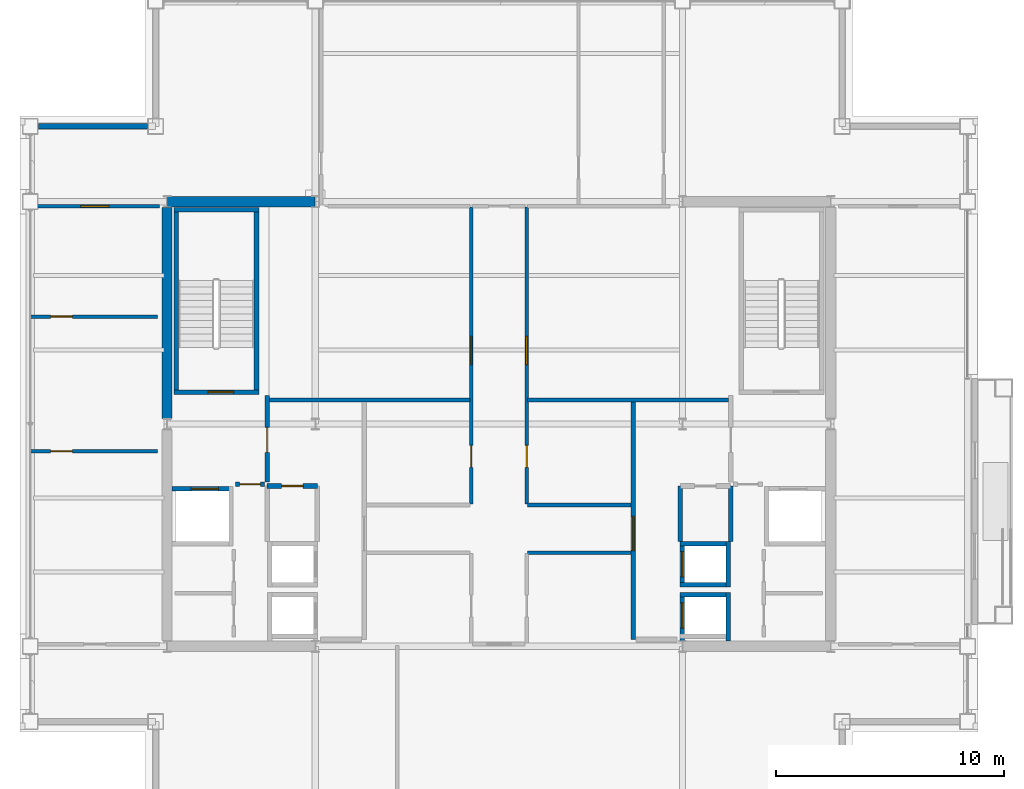
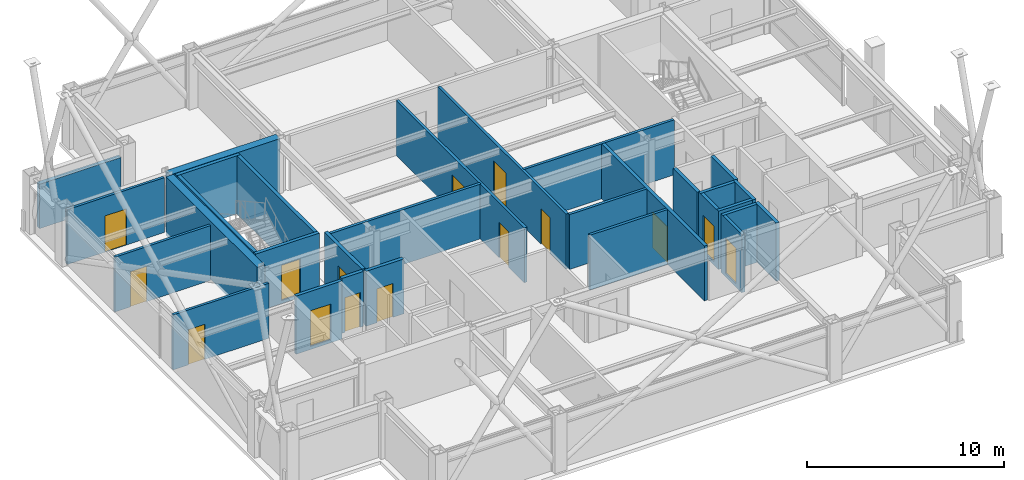
# One storey, part 29 of 33: 30 walls, 15 doors, 15 openings.
"""IFC4 building model written with IfcOpenShell, lengths in metres."""

from ifc_helpers import new_model, si_unit, direction, frame, frame_2d, origin, place, context, subcontext, project, spatial, rectangle, extrude, material, layer, layer_set, type_object, element, fill, save


model = new_model("IFC4")

# Units and contexts
model_context = context("Model", 3, precision=1e-05, world=origin(), true_north=direction((0.0, 1.0)))
body_context = subcontext(model_context, "Body", "Model", "MODEL_VIEW")
ifc_project = project(units=[si_unit("LENGTHUNIT", "METRE"), si_unit("AREAUNIT", "SQUARE_METRE"), si_unit("VOLUMEUNIT", "CUBIC_METRE"), si_unit("PLANEANGLEUNIT", "RADIAN"), si_unit("MASSUNIT", "GRAM", prefix="KILO")], contexts=[model_context])

# Site, building, storey
site_placement = place(None, origin())
site = spatial("IfcSite", under=ifc_project, at=site_placement, CompositionType="ELEMENT")
building_placement = place(site_placement, origin())
building = spatial("IfcBuilding", under=site, at=building_placement, Name="Brelmoor Portico Tower", CompositionType="ELEMENT")
storey_placement = place(building_placement, frame((0.0, 0.0, 194.699951171875)))
storey = spatial("IfcBuildingStorey", under=building, at=storey_placement, Name="L51", CompositionType="ELEMENT", Elevation=194.699951171875)

# Walls
ifc_material_1 = material(Name="Concrete C50", Category="concrete")
ifc_layer_1 = layer(ifc_material_1, 0.449951171875)
ifc_layer_set_1 = layer_set([ifc_layer_1], Name="Concrete C50")
wall_type_1 = type_object("IfcWallType", Name="WL-CORE-450", PredefinedType="SHEAR", material=ifc_layer_set_1)
wall_1_placement = place(storey_placement, frame((-14.530029296875, 9.75, -0.199951171875), z_axis=(0.0, 0.0, 1.0), x_axis=(1.0, 0.0, 0.0)))
element("IfcWall", 1, at=wall_1_placement, inside=storey, type_object=wall_type_1, Name="L51 WC North Shear Wall", PredefinedType="SHEAR", context=body_context, shape_type="SweptSolid", body=[
    extrude(rectangle(XDim=6.4599609375, YDim=0.449951171875, at=frame_2d((3.22998046875, 0.0))), origin(), (0.0, 0.0, 1.0), 3.60009765625),
])
wall_2_placement = place(storey_placement, frame((-14.550048828125, 0.25, -0.199951171875), z_axis=(0.0, 0.0, 1.0), x_axis=(0.0, 1.0, 0.0)))
element("IfcWall", 2, at=wall_2_placement, inside=storey, type_object=wall_type_1, Name="L51 WC Outer North Shear Wall", PredefinedType="SHEAR", context=body_context, shape_type="SweptSolid", body=[
    extrude(rectangle(XDim=9.25, YDim=0.449951171875, at=frame_2d((4.625, 0.0))), origin(), (0.0, 0.0, 1.0), 3.60009765625),
])
ifc_material_2 = material(Name="Precast Concrete C40 Insulated Facade Wall", Category="concrete")
ifc_layer_2 = layer(ifc_material_2, 0.25)
ifc_layer_set_2 = layer_set([ifc_layer_2], Name="Precast Concrete C40 Insulated Facade Wall")
wall_type_2 = type_object("IfcWallType", Name="WL-EXT-250", PredefinedType="STANDARD", material=ifc_layer_set_2)
wall_3_placement = place(storey_placement, frame((-20.18994140625, 13.050048828125, 0.0), z_axis=(0.0, 0.0, 1.0), x_axis=(1.0, 0.0, 0.0)))
element("IfcWall", 3, at=wall_3_placement, inside=storey, type_object=wall_type_2, Name="L51 Corner Notch Facade Wall NNWH1", PredefinedType="STANDARD", context=body_context, shape_type="SweptSolid", body=[
    extrude(rectangle(XDim=4.780029296875, YDim=0.25, at=frame_2d((2.39013671875, 0.0))), origin(), (0.0, 0.0, 1.0), 2.75),
])

# Wall, opening, door
ifc_material_3 = material(Name="Wet-Area Moisture-Resistant Partition", Category="gypsum")
ifc_layer_3 = layer(ifc_material_3, 0.14990234375)
ifc_layer_set_3 = layer_set([ifc_layer_3], Name="Wet-Area Moisture-Resistant Partition")
wall_type_3 = type_object("IfcWallType", Name="WL-PART-150", PredefinedType="PARTITIONING", material=ifc_layer_set_3)
wall_4_placement = place(storey_placement, frame((-20.56005859375, 9.550048828125, 0.0), z_axis=(0.0, 0.0, 1.0), x_axis=(1.0, 0.0, 0.0)))
wall_4 = element("IfcWall", 4, at=wall_4_placement, inside=storey, type_object=wall_type_3, Name="L51 North Wing Suite Wall WL", PredefinedType="PARTITIONING", context=body_context, shape_type="SweptSolid", body=[
    extrude(rectangle(XDim=5.68017578125, YDim=0.14990234375, at=frame_2d((2.840087890625, 0.0))), origin(), (0.0, 0.0, 1.0), 3.400146484375),
])
opening_1_placement = place(wall_4_placement, frame((2.219970703125, 0.0, 0.0)))
opening_1 = element("IfcOpeningElement", 5, at=opening_1_placement, cuts=wall_4, Name="Opening D-SU1", PredefinedType="OPENING", context=body_context, shape_type="SweptSolid", body=[
    extrude(rectangle(XDim=1.239990234375, YDim=2.239990234375, at=frame_2d((0.6201171875, 1.1201171875))), frame((0.0, 0.0849609375, 0.0), z_axis=(0.0, -1.0, 0.0), x_axis=(1.0, 0.0, 0.0)), (0.0, 0.0, 1.0), 0.169921875),
])
ifc_material_4 = material(Name="Glazed Timber Executive Suite Door", Category="wood")
door_type_1 = type_object("IfcDoorType", Name="DR-SUITE-1200", OperationType="NOTDEFINED", PredefinedType="DOOR", material=ifc_material_4)
door_1_placement = place(opening_1_placement, origin())
door_1 = element("IfcDoor", 6, at=door_1_placement, inside=storey, type_object=door_type_1, Name="D-2164 L51 WL Wing Suite Connecting Door", OperationType="SINGLE_SWING_LEFT", OverallHeight=2.239990234375, OverallWidth=1.239990234375, PredefinedType="DOOR", context=body_context, shape_type="SweptSolid", body=[
    extrude(rectangle(XDim=1.239990234375, YDim=2.239990234375, at=frame_2d((0.6201171875, 1.1201171875))), frame((0.0, 0.02490234375, 0.0), z_axis=(0.0, -1.0, 0.0), x_axis=(1.0, 0.0, 0.0)), (0.0, 0.0, 1.0), 0.050048828125),
])
fill(opening_1, door_1)

wall_5_placement = place(storey_placement, frame((-20.56005859375, -1.1923828125, 0.0), z_axis=(0.0, 0.0, 1.0), x_axis=(1.0, 0.0, 0.0)))
wall_5 = element("IfcWall", 7, at=wall_5_placement, inside=storey, type_object=wall_type_3, Name="L51 W Wing Partition 1", PredefinedType="PARTITIONING", context=body_context, shape_type="SweptSolid", body=[
    extrude(rectangle(XDim=5.60009765625, YDim=0.14990234375, at=frame_2d((2.800048828125, 0.0))), origin(), (0.0, 0.0, 1.0), 3.400146484375),
])
opening_2_placement = place(wall_5_placement, frame((0.89990234375, 0.0, 0.0)))
opening_2 = element("IfcOpeningElement", 8, at=opening_2_placement, cuts=wall_5, Name="Opening D-IN2", PredefinedType="OPENING", context=body_context, shape_type="SweptSolid", body=[
    extrude(rectangle(XDim=0.9599609375, YDim=2.179931640625, at=frame_2d((0.47998046875, 1.08984375))), frame((0.0, 0.0849609375, 0.0), z_axis=(0.0, -1.0, 0.0), x_axis=(1.0, 0.0, 0.0)), (0.0, 0.0, 1.0), 0.169921875),
])
ifc_material_5 = material(Name="Lacquered Timber Suite Door", Category="wood")
door_type_2 = type_object("IfcDoorType", Name="DR-INT-950", OperationType="NOTDEFINED", PredefinedType="DOOR", material=ifc_material_5)
door_2_placement = place(opening_2_placement, origin())
door_2 = element("IfcDoor", 9, at=door_2_placement, inside=storey, type_object=door_type_2, Name="D-2172 L51 W Wing Suite Connecting Door 1", OperationType="SINGLE_SWING_LEFT", OverallHeight=2.179931640625, OverallWidth=0.9599609375, PredefinedType="DOOR", context=body_context, shape_type="SweptSolid", body=[
    extrude(rectangle(XDim=0.9599609375, YDim=2.179931640625, at=frame_2d((0.47998046875, 1.08984375))), frame((0.0, 0.02490234375, 0.0), z_axis=(0.0, -1.0, 0.0), x_axis=(1.0, 0.0, 0.0)), (0.0, 0.0, 1.0), 0.050048828125),
])
fill(opening_2, door_2)

wall_6_placement = place(storey_placement, frame((-20.56005859375, 4.7099609375, 0.0), z_axis=(0.0, 0.0, 1.0), x_axis=(1.0, 0.0, 0.0)))
wall_6 = element("IfcWall", 10, at=wall_6_placement, inside=storey, type_object=wall_type_3, Name="L51 W Wing Partition 2", PredefinedType="PARTITIONING", context=body_context, shape_type="SweptSolid", body=[
    extrude(rectangle(XDim=5.60009765625, YDim=0.14990234375, at=frame_2d((2.800048828125, 0.0))), origin(), (0.0, 0.0, 1.0), 3.400146484375),
])
opening_3_placement = place(wall_6_placement, frame((0.89990234375, 0.0, 0.0)))
opening_3 = element("IfcOpeningElement", 11, at=opening_3_placement, cuts=wall_6, Name="Opening D-IN2", PredefinedType="OPENING", context=body_context, shape_type="SweptSolid", body=[
    extrude(rectangle(XDim=0.9599609375, YDim=2.179931640625, at=frame_2d((0.47998046875, 1.08984375))), frame((0.0, 0.0849609375, 0.0), z_axis=(0.0, -1.0, 0.0), x_axis=(1.0, 0.0, 0.0)), (0.0, 0.0, 1.0), 0.169921875),
])
door_3_placement = place(opening_3_placement, origin())
door_3 = element("IfcDoor", 12, at=door_3_placement, inside=storey, type_object=door_type_2, Name="D-2173 L51 W Wing Suite Connecting Door 2", OperationType="SINGLE_SWING_RIGHT", OverallHeight=2.179931640625, OverallWidth=0.9599609375, PredefinedType="DOOR", context=body_context, shape_type="SweptSolid", body=[
    extrude(rectangle(XDim=0.9599609375, YDim=2.179931640625, at=frame_2d((0.47998046875, 1.08984375))), frame((0.0, 0.02490234375, 0.0), z_axis=(0.0, -1.0, 0.0), x_axis=(1.0, 0.0, 0.0)), (0.0, 0.0, 1.0), 0.050048828125),
])
fill(opening_3, door_3)

# Wall
ifc_material_6 = material(Name="Twin-Frame Acoustic Partition", Category="gypsum")
ifc_layer_4 = layer(ifc_material_6, 0.159912109375)
ifc_layer_set_4 = layer_set([ifc_layer_4], Name="Twin-Frame Acoustic Partition")
wall_type_4 = type_object("IfcWallType", Name="WL-PART-160", PredefinedType="PARTITIONING", material=ifc_layer_set_4)
wall_7_placement = place(storey_placement, frame((-10.050048828125, 1.050048828125, 0.0), z_axis=(0.0, 0.0, 1.0), x_axis=(1.0, 0.0, 0.0)))
element("IfcWall", 13, at=wall_7_placement, inside=storey, type_object=wall_type_4, Name="L51 West Reclaimed Suite South Wall", PredefinedType="PARTITIONING", context=body_context, shape_type="SweptSolid", body=[
    extrude(rectangle(XDim=8.7900390625, YDim=0.159912109375, at=frame_2d((4.39501953125, 0.0))), origin(), (0.0, 0.0, 1.0), 3.400146484375),
])

# Wall, openings, doors
wall_8_placement = place(storey_placement, frame((-1.219970703125, -3.5, 0.0), z_axis=(0.0, 0.0, 1.0), x_axis=(0.0, 1.0, 0.0)))
wall_8 = element("IfcWall", 14, at=wall_8_placement, inside=storey, type_object=wall_type_4, Name="L51 Central Cross West Wall", PredefinedType="PARTITIONING", context=body_context, shape_type="SweptSolid", body=[
    extrude(rectangle(XDim=13.010009765625, YDim=0.159912109375, at=frame_2d((6.5048828125, 0.0))), origin(), (0.0, 0.0, 1.0), 3.400146484375),
])
opening_4_placement = place(wall_8_placement, frame((6.10009765625, 0.0, 0.0)))
opening_4 = element("IfcOpeningElement", 15, at=opening_4_placement, cuts=wall_8, Name="Opening D-SU1", PredefinedType="OPENING", context=body_context, shape_type="SweptSolid", body=[
    extrude(rectangle(XDim=1.239990234375, YDim=2.239990234375, at=frame_2d((0.6201171875, 1.1201171875))), frame((0.0, 0.08984375, 0.0), z_axis=(0.0, -1.0, 0.0), x_axis=(1.0, 0.0, 0.0)), (0.0, 0.0, 1.0), 0.179931640625),
])
opening_5_placement = place(wall_8_placement, frame((1.60009765625, 0.0, 0.0)))
opening_5 = element("IfcOpeningElement", 16, at=opening_5_placement, cuts=wall_8, Name="Opening D-IN2", PredefinedType="OPENING", context=body_context, shape_type="SweptSolid", body=[
    extrude(rectangle(XDim=0.9599609375, YDim=2.179931640625, at=frame_2d((0.47998046875, 1.08984375))), frame((0.0, 0.08984375, 0.0), z_axis=(0.0, -1.0, 0.0), x_axis=(1.0, 0.0, 0.0)), (0.0, 0.0, 1.0), 0.179931640625),
])
door_4_placement = place(opening_5_placement, origin())
door_4 = element("IfcDoor", 17, at=door_4_placement, inside=storey, type_object=door_type_2, Name="D-2145 L51 Staff Pantry Door", OperationType="SINGLE_SWING_RIGHT", OverallHeight=2.179931640625, OverallWidth=0.9599609375, PredefinedType="DOOR", context=body_context, shape_type="SweptSolid", body=[
    extrude(rectangle(XDim=0.9599609375, YDim=2.179931640625, at=frame_2d((0.47998046875, 1.08984375))), frame((0.0, 0.02490234375, 0.0), z_axis=(0.0, -1.0, 0.0), x_axis=(1.0, 0.0, 0.0)), (0.0, 0.0, 1.0), 0.050048828125),
])
fill(opening_5, door_4)
door_5_placement = place(opening_4_placement, origin())
door_5 = element("IfcDoor", 18, at=door_5_placement, inside=storey, type_object=door_type_1, Name="D-2146 L51 West Reclaimed Studio Door", OperationType="SINGLE_SWING_LEFT", OverallHeight=2.239990234375, OverallWidth=1.239990234375, PredefinedType="DOOR", context=body_context, shape_type="SweptSolid", body=[
    extrude(rectangle(XDim=1.239990234375, YDim=2.239990234375, at=frame_2d((0.6201171875, 1.1201171875))), frame((0.0, 0.02490234375, 0.0), z_axis=(0.0, -1.0, 0.0), x_axis=(1.0, 0.0, 0.0)), (0.0, 0.0, 1.0), 0.050048828125),
])
fill(opening_4, door_5)

# Wall
wall_9_placement = place(storey_placement, frame((1.260009765625, 1.050048828125, 0.0), z_axis=(0.0, 0.0, 1.0), x_axis=(1.0, 0.0, 0.0)))
element("IfcWall", 19, at=wall_9_placement, inside=storey, type_object=wall_type_4, Name="L51 East Suite South Wall", PredefinedType="PARTITIONING", context=body_context, shape_type="SweptSolid", body=[
    extrude(rectangle(XDim=8.800048828125, YDim=0.159912109375, at=frame_2d((4.39990234375, 0.0))), origin(), (0.0, 0.0, 1.0), 3.400146484375),
])

# Wall, openings, doors
wall_10_placement = place(storey_placement, frame((1.219970703125, -3.5, 0.0), z_axis=(0.0, 0.0, 1.0), x_axis=(0.0, 1.0, 0.0)))
wall_10 = element("IfcWall", 20, at=wall_10_placement, inside=storey, type_object=wall_type_4, Name="L51 Central Cross East Wall", PredefinedType="PARTITIONING", context=body_context, shape_type="SweptSolid", body=[
    extrude(rectangle(XDim=13.010009765625, YDim=0.159912109375, at=frame_2d((6.5048828125, 0.0))), origin(), (0.0, 0.0, 1.0), 3.400146484375),
])
opening_6_placement = place(wall_10_placement, frame((6.10009765625, 0.0, 0.0)))
opening_6 = element("IfcOpeningElement", 21, at=opening_6_placement, cuts=wall_10, Name="Opening D-SU1", PredefinedType="OPENING", context=body_context, shape_type="SweptSolid", body=[
    extrude(rectangle(XDim=1.239990234375, YDim=2.239990234375, at=frame_2d((0.6201171875, 1.1201171875))), frame((0.0, 0.08984375, 0.0), z_axis=(0.0, -1.0, 0.0), x_axis=(1.0, 0.0, 0.0)), (0.0, 0.0, 1.0), 0.179931640625),
])
opening_7_placement = place(wall_10_placement, frame((1.60009765625, 0.0, 0.0)))
opening_7 = element("IfcOpeningElement", 22, at=opening_7_placement, cuts=wall_10, Name="Opening D-IN2", PredefinedType="OPENING", context=body_context, shape_type="SweptSolid", body=[
    extrude(rectangle(XDim=0.9599609375, YDim=2.179931640625, at=frame_2d((0.47998046875, 1.08984375))), frame((0.0, 0.08984375, 0.0), z_axis=(0.0, -1.0, 0.0), x_axis=(1.0, 0.0, 0.0)), (0.0, 0.0, 1.0), 0.179931640625),
])
door_6_placement = place(opening_7_placement, origin())
door_6 = element("IfcDoor", 23, at=door_6_placement, inside=storey, type_object=door_type_2, Name="D-2141 L51 Client Project Office Door", OperationType="SINGLE_SWING_RIGHT", OverallHeight=2.179931640625, OverallWidth=0.9599609375, PredefinedType="DOOR", context=body_context, shape_type="SweptSolid", body=[
    extrude(rectangle(XDim=0.9599609375, YDim=2.179931640625, at=frame_2d((0.47998046875, 1.08984375))), frame((0.0, 0.02490234375, 0.0), z_axis=(0.0, -1.0, 0.0), x_axis=(1.0, 0.0, 0.0)), (0.0, 0.0, 1.0), 0.050048828125),
])
fill(opening_7, door_6)
door_7_placement = place(opening_6_placement, origin())
door_7 = element("IfcDoor", 24, at=door_7_placement, inside=storey, type_object=door_type_1, Name="D-2142 L51 East Reclaimed Studio Door", OperationType="SINGLE_SWING_LEFT", OverallHeight=2.239990234375, OverallWidth=1.239990234375, PredefinedType="DOOR", context=body_context, shape_type="SweptSolid", body=[
    extrude(rectangle(XDim=1.239990234375, YDim=2.239990234375, at=frame_2d((0.6201171875, 1.1201171875))), frame((0.0, 0.02490234375, 0.0), z_axis=(0.0, -1.0, 0.0), x_axis=(1.0, 0.0, 0.0)), (0.0, 0.0, 1.0), 0.050048828125),
])
fill(opening_6, door_7)

# Walls
for number, where, z_axis, x_axis, name in (
    (25, (1.260009765625, -3.550048828125, 0.0), (0.0, 0.0, 1.0), (1.0, 0.0, 0.0), "L51 East Office South Wall"),
    (26, (1.260009765625, -5.64990234375, 0.0), (0.0, 0.0, 1.0), (1.0, 0.0, 0.0), "L51 South-East Chamber Top Wall"),
):
    element("IfcWall", number, at=place(storey_placement, frame(where, z_axis=z_axis, x_axis=x_axis)), inside=storey, type_object=wall_type_4, Name=name, PredefinedType="PARTITIONING", context=body_context, shape_type="SweptSolid", body=[
        extrude(rectangle(XDim=4.5400390625, YDim=0.159912109375, at=frame_2d((2.27001953125, 0.0))), origin(), (0.0, 0.0, 1.0), 3.400146484375),
    ])

# Wall, opening, door
ifc_material_7 = material(Name="Double-Stud Gypsum Fire Partition", Category="gypsum")
ifc_layer_5 = layer(ifc_material_7, 0.199951171875)
ifc_layer_set_5 = layer_set([ifc_layer_5], Name="Double-Stud Gypsum Fire Partition")
wall_type_5 = type_object("IfcWallType", Name="WL-PART-200", PredefinedType="PARTITIONING", material=ifc_layer_set_5)
wall_11_placement = place(storey_placement, frame((-10.159912109375, -2.550048828125, 0.0), z_axis=(0.0, 0.0, 1.0), x_axis=(0.0, 1.0, 0.0)))
wall_11 = element("IfcWall", 27, at=wall_11_placement, inside=storey, type_object=wall_type_5, Name="L51 W Firefighting Lobby Wall", PredefinedType="PARTITIONING", context=body_context, shape_type="SweptSolid", body=[
    extrude(rectangle(XDim=3.800048828125, YDim=0.199951171875, at=frame_2d((1.89990234375, 0.0))), origin(), (0.0, 0.0, 1.0), 3.400146484375),
])
opening_8_placement = place(wall_11_placement, frame((1.300048828125, 0.0, 0.0)))
opening_8 = element("IfcOpeningElement", 28, at=opening_8_placement, cuts=wall_11, Name="Opening D-FR1", PredefinedType="OPENING", context=body_context, shape_type="SweptSolid", body=[
    extrude(rectangle(XDim=1.10009765625, YDim=2.14990234375, at=frame_2d((0.550048828125, 1.074951171875))), frame((0.0, 0.10986328125, 0.0), z_axis=(0.0, -1.0, 0.0), x_axis=(1.0, 0.0, 0.0)), (0.0, 0.0, 1.0), 0.219970703125),
])
ifc_material_8 = material(Name="Painted Galvanised Steel Fire Door", Category="steel")
door_type_3 = type_object("IfcDoorType", Name="DR-FIRE-1100", OperationType="NOTDEFINED", PredefinedType="DOOR", material=ifc_material_8)
door_8_placement = place(opening_8_placement, origin())
door_8 = element("IfcDoor", 29, at=door_8_placement, inside=storey, type_object=door_type_3, Name="D-2156 L51 W Firefighting Lobby Door", OperationType="SINGLE_SWING_LEFT", OverallHeight=2.14990234375, OverallWidth=1.10009765625, PredefinedType="DOOR", context=body_context, shape_type="SweptSolid", body=[
    extrude(rectangle(XDim=1.10009765625, YDim=2.14990234375, at=frame_2d((0.550048828125, 1.074951171875))), frame((0.0, 0.02490234375, 0.0), z_axis=(0.0, -1.0, 0.0), x_axis=(1.0, 0.0, 0.0)), (0.0, 0.0, 1.0), 0.050048828125),
])
fill(opening_8, door_8)

wall_12_placement = place(storey_placement, frame((-10.280029296875, -2.64990234375, 0.0), z_axis=(0.0, 0.0, 1.0), x_axis=(-1.0, 0.0, 0.0)))
wall_12 = element("IfcWall", 30, at=wall_12_placement, inside=storey, type_object=wall_type_5, Name="L51 W Firefighting Lobby South Wall", PredefinedType="PARTITIONING", context=body_context, shape_type="SweptSolid", body=[
    extrude(rectangle(XDim=1.27001953125, YDim=0.199951171875, at=frame_2d((0.635009765625, 0.0))), origin(), (0.0, 0.0, 1.0), 3.400146484375),
])
opening_9_placement = place(wall_12_placement, frame((0.18505859375, 0.0, 0.0)))
opening_9 = element("IfcOpeningElement", 31, at=opening_9_placement, cuts=wall_12, Name="Opening D-IN1", PredefinedType="OPENING", context=body_context, shape_type="SweptSolid", body=[
    extrude(rectangle(XDim=0.89990234375, YDim=2.14990234375, at=frame_2d((0.449951171875, 1.074951171875))), frame((0.0, 0.10986328125, 0.0), z_axis=(0.0, -1.0, 0.0), x_axis=(1.0, 0.0, 0.0)), (0.0, 0.0, 1.0), 0.219970703125),
])
door_type_4 = type_object("IfcDoorType", Name="DR-INT-900", OperationType="NOTDEFINED", PredefinedType="DOOR", material=ifc_material_5)
door_9_placement = place(opening_9_placement, origin())
door_9 = element("IfcDoor", 32, at=door_9_placement, inside=storey, type_object=door_type_4, Name="D-2150 L51 W Core Service Vestibule Door", OperationType="SINGLE_SWING_RIGHT", OverallHeight=2.14990234375, OverallWidth=0.89990234375, PredefinedType="DOOR", context=body_context, shape_type="SweptSolid", body=[
    extrude(rectangle(XDim=0.89990234375, YDim=2.14990234375, at=frame_2d((0.449951171875, 1.074951171875))), frame((0.0, 0.02490234375, 0.0), z_axis=(0.0, -1.0, 0.0), x_axis=(1.0, 0.0, 0.0)), (0.0, 0.0, 1.0), 0.050048828125),
])
fill(opening_9, door_9)

wall_13_placement = place(storey_placement, frame((-7.9599609375, -2.719970703125, 0.0), z_axis=(0.0, 0.0, 1.0), x_axis=(-1.0, 0.0, 0.0)))
wall_13 = element("IfcWall", 33, at=wall_13_placement, inside=storey, type_object=wall_type_5, Name="L51 W Electrical Switchgear Closet Wall", PredefinedType="PARTITIONING", context=body_context, shape_type="SweptSolid", body=[
    extrude(rectangle(XDim=2.199951171875, YDim=0.199951171875, at=frame_2d((1.10009765625, 0.0))), origin(), (0.0, 0.0, 1.0), 3.400146484375),
])
opening_10_placement = place(wall_13_placement, frame((0.6201171875, 0.0, 0.0)))
opening_10 = element("IfcOpeningElement", 34, at=opening_10_placement, cuts=wall_13, Name="Opening D-FR4", PredefinedType="OPENING", context=body_context, shape_type="SweptSolid", body=[
    extrude(rectangle(XDim=0.949951171875, YDim=2.10009765625, at=frame_2d((0.47509765625, 1.050048828125))), frame((0.0, 0.10986328125, 0.0), z_axis=(0.0, -1.0, 0.0), x_axis=(1.0, 0.0, 0.0)), (0.0, 0.0, 1.0), 0.219970703125),
])
ifc_material_9 = material(Name="Painted Galvanised Steel Riser Door", Category="steel")
door_type_5 = type_object("IfcDoorType", Name="DR-FIRE-950", OperationType="NOTDEFINED", PredefinedType="DOOR", material=ifc_material_9)
door_10_placement = place(opening_10_placement, origin())
door_10 = element("IfcDoor", 35, at=door_10_placement, inside=storey, type_object=door_type_5, Name="D-2154 L51 W Electrical Switchgear Closet Door", OperationType="SINGLE_SWING_LEFT", OverallHeight=2.10009765625, OverallWidth=0.949951171875, PredefinedType="DOOR", context=body_context, shape_type="SweptSolid", body=[
    extrude(rectangle(XDim=0.949951171875, YDim=2.10009765625, at=frame_2d((0.47509765625, 1.050048828125))), frame((0.0, 0.02490234375, 0.0), z_axis=(0.0, -1.0, 0.0), x_axis=(1.0, 0.0, 0.0)), (0.0, 0.0, 1.0), 0.050048828125),
])
fill(opening_10, door_10)

wall_14_placement = place(storey_placement, frame((5.89990234375, -9.449951171875, 0.0), z_axis=(0.0, 0.0, 1.0), x_axis=(0.0, 1.0, 0.0)))
wall_14 = element("IfcWall", 36, at=wall_14_placement, inside=storey, type_object=wall_type_5, Name="L51 E Core Lobby Compartment Wall", PredefinedType="PARTITIONING", context=body_context, shape_type="SweptSolid", body=[
    extrude(rectangle(XDim=10.5, YDim=0.199951171875, at=frame_2d((5.25, 0.0))), origin(), (0.0, 0.0, 1.0), 3.400146484375),
])
opening_11_placement = place(wall_14_placement, frame((3.89990234375, 0.0, 0.0)))
opening_11 = element("IfcOpeningElement", 37, at=opening_11_placement, cuts=wall_14, Name="Opening D-LB1", PredefinedType="OPENING", context=body_context, shape_type="SweptSolid", body=[
    extrude(rectangle(XDim=1.5, YDim=2.199951171875, at=frame_2d((0.75, 1.10009765625))), frame((0.0, 0.10986328125, 0.0), z_axis=(0.0, -1.0, 0.0), x_axis=(1.0, 0.0, 0.0)), (0.0, 0.0, 1.0), 0.219970703125),
])
ifc_material_10 = material(Name="Double-Leaf Glazed Steel Fire Door", Category="steel")
door_type_6 = type_object("IfcDoorType", Name="DR-LOBBY-1500", OperationType="NOTDEFINED", PredefinedType="DOOR", material=ifc_material_10)
door_11_placement = place(opening_11_placement, origin())
door_11 = element("IfcDoor", 38, at=door_11_placement, inside=storey, type_object=door_type_6, Name="D-2157 L51 E Lift Lobby Main Door", OperationType="DOUBLE_DOOR_SINGLE_SWING", OverallHeight=2.199951171875, OverallWidth=1.5, PredefinedType="DOOR", context=body_context, shape_type="SweptSolid", body=[
    extrude(rectangle(XDim=1.5, YDim=2.199951171875, at=frame_2d((0.75, 1.10009765625))), frame((0.0, 0.02490234375, 0.0), z_axis=(0.0, -1.0, 0.0), x_axis=(1.0, 0.0, 0.0)), (0.0, 0.0, 1.0), 0.050048828125),
])
fill(opening_11, door_11)

# Walls
for number, where, z_axis, x_axis, name in (
    (39, (7.9599609375, -5.159912109375, 0.0), (0.0, 0.0, 1.0), (0.0, 1.0, 0.0), "L51 E Electrical Switchgear Closet Inner Wall"),
    (40, (10.159912109375, -5.159912109375, 0.0), (0.0, 0.0, 1.0), (0.0, 1.0, 0.0), "L51 E Electrical Switchgear Closet Outer Wall"),
):
    element("IfcWall", number, at=place(storey_placement, frame(where, z_axis=z_axis, x_axis=x_axis)), inside=storey, type_object=wall_type_5, Name=name, PredefinedType="PARTITIONING", context=body_context, shape_type="SweptSolid", body=[
        extrude(rectangle(XDim=2.43994140625, YDim=0.199951171875, at=frame_2d((1.219970703125, 0.0))), origin(), (0.0, 0.0, 1.0), 3.400146484375),
    ])

# Wall, opening, door
ifc_material_11 = material(Name="Precast Concrete C40", Category="concrete")
ifc_layer_6 = layer(ifc_material_11, 0.18994140625)
ifc_layer_set_6 = layer_set([ifc_layer_6], Name="Precast Concrete C40")
wall_type_6 = type_object("IfcWallType", Name="WL-SHAFT-180", PredefinedType="SOLIDWALL", material=ifc_layer_set_6)
wall_15_placement = place(storey_placement, frame((8.044921875, -9.52001953125, -0.199951171875), z_axis=(0.0, 0.0, 1.0), x_axis=(0.0, 1.0, 0.0)))
wall_15 = element("IfcWall", 41, at=wall_15_placement, inside=storey, type_object=wall_type_6, Name="L51 Lift PH3 Hoistway Front Wall", PredefinedType="SOLIDWALL", context=body_context, shape_type="SweptSolid", body=[
    extrude(rectangle(XDim=2.1201171875, YDim=0.18994140625, at=frame_2d((1.06005859375, 0.0))), origin(), (0.0, 0.0, 1.0), 3.60009765625),
])
opening_12_placement = place(wall_15_placement, frame((0.570068359375, 0.0, 0.199951171875)))
opening_12 = element("IfcOpeningElement", 42, at=opening_12_placement, cuts=wall_15, Name="Opening LD-01", PredefinedType="OPENING", context=body_context, shape_type="SweptSolid", body=[
    extrude(rectangle(XDim=1.10009765625, YDim=2.199951171875, at=frame_2d((0.550048828125, 1.10009765625))), frame((0.0, 0.10498046875, 0.0), z_axis=(0.0, -1.0, 0.0), x_axis=(1.0, 0.0, 0.0)), (0.0, 0.0, 1.0), 0.2099609375),
])
ifc_material_12 = material(Name="Brushed Stainless Steel Sliding Lift Door", Category="steel")
door_type_7 = type_object("IfcDoorType", Name="DR-LIFT-1100", OperationType="NOTDEFINED", PredefinedType="DOOR", material=ifc_material_12)
door_12_placement = place(opening_12_placement, origin())
door_12 = element("IfcDoor", 43, at=door_12_placement, inside=storey, type_object=door_type_7, Name="D-2178 L51 Lift PH3 Sliding Landing Door", OperationType="SLIDING_TO_LEFT", OverallHeight=2.199951171875, OverallWidth=1.10009765625, PredefinedType="DOOR", context=body_context, shape_type="SweptSolid", body=[
    extrude(rectangle(XDim=1.10009765625, YDim=2.199951171875, at=frame_2d((0.550048828125, 1.10009765625))), frame((0.0, 0.02490234375, 0.0), z_axis=(0.0, -1.0, 0.0), x_axis=(1.0, 0.0, 0.0)), (0.0, 0.0, 1.0), 0.050048828125),
])
fill(opening_12, door_12)

# Walls
wall_16_placement = place(storey_placement, frame((10.054931640625, -9.52001953125, -0.199951171875), z_axis=(0.0, 0.0, 1.0), x_axis=(0.0, 1.0, 0.0)))
element("IfcWall", 44, at=wall_16_placement, inside=storey, type_object=wall_type_6, Name="L51 Lift PH3 Hoistway Back Wall", PredefinedType="SOLIDWALL", context=body_context, shape_type="SweptSolid", body=[
    extrude(rectangle(XDim=2.1201171875, YDim=0.18994140625, at=frame_2d((1.06005859375, 0.0))), origin(), (0.0, 0.0, 1.0), 3.60009765625),
])
wall_17_placement = place(storey_placement, frame((7.949951171875, -7.4951171875, -0.199951171875), z_axis=(0.0, 0.0, 1.0), x_axis=(1.0, 0.0, 0.0)))
element("IfcWall", 45, at=wall_17_placement, inside=storey, type_object=wall_type_6, Name="L51 Lift PH3 Hoistway North Wall", PredefinedType="SOLIDWALL", context=body_context, shape_type="SweptSolid", body=[
    extrude(rectangle(XDim=2.199951171875, YDim=0.18994140625, at=frame_2d((1.10009765625, 0.0))), origin(), (0.0, 0.0, 1.0), 3.60009765625),
])

# Wall, opening, door
wall_18_placement = place(storey_placement, frame((8.044921875, -7.14990234375, -0.199951171875), z_axis=(0.0, 0.0, 1.0), x_axis=(0.0, 1.0, 0.0)))
wall_18 = element("IfcWall", 46, at=wall_18_placement, inside=storey, type_object=wall_type_6, Name="L51 Lift PH4 Hoistway Front Wall", PredefinedType="SOLIDWALL", context=body_context, shape_type="SweptSolid", body=[
    extrude(rectangle(XDim=2.0, YDim=0.18994140625, at=frame_2d((1.0, 0.0))), origin(), (0.0, 0.0, 1.0), 3.60009765625),
])
opening_13_placement = place(wall_18_placement, frame((0.449951171875, 0.0, 0.199951171875)))
opening_13 = element("IfcOpeningElement", 47, at=opening_13_placement, cuts=wall_18, Name="Opening LD-01", PredefinedType="OPENING", context=body_context, shape_type="SweptSolid", body=[
    extrude(rectangle(XDim=1.10009765625, YDim=2.199951171875, at=frame_2d((0.550048828125, 1.10009765625))), frame((0.0, 0.10498046875, 0.0), z_axis=(0.0, -1.0, 0.0), x_axis=(1.0, 0.0, 0.0)), (0.0, 0.0, 1.0), 0.2099609375),
])
door_13_placement = place(opening_13_placement, origin())
door_13 = element("IfcDoor", 48, at=door_13_placement, inside=storey, type_object=door_type_7, Name="D-2179 L51 Lift PH4 Sliding Landing Door", OperationType="SLIDING_TO_LEFT", OverallHeight=2.199951171875, OverallWidth=1.10009765625, PredefinedType="DOOR", context=body_context, shape_type="SweptSolid", body=[
    extrude(rectangle(XDim=1.10009765625, YDim=2.199951171875, at=frame_2d((0.550048828125, 1.10009765625))), frame((0.0, 0.02490234375, 0.0), z_axis=(0.0, -1.0, 0.0), x_axis=(1.0, 0.0, 0.0)), (0.0, 0.0, 1.0), 0.050048828125),
])
fill(opening_13, door_13)

# Walls
wall_19_placement = place(storey_placement, frame((10.054931640625, -7.14990234375, -0.199951171875), z_axis=(0.0, 0.0, 1.0), x_axis=(0.0, 1.0, 0.0)))
element("IfcWall", 49, at=wall_19_placement, inside=storey, type_object=wall_type_6, Name="L51 Lift PH4 Hoistway Back Wall", PredefinedType="SOLIDWALL", context=body_context, shape_type="SweptSolid", body=[
    extrude(rectangle(XDim=2.0, YDim=0.18994140625, at=frame_2d((1.0, 0.0))), origin(), (0.0, 0.0, 1.0), 3.60009765625),
])
for number, where, z_axis, x_axis, name in (
    (50, (7.949951171875, -5.2451171875, -0.199951171875), (0.0, 0.0, 1.0), (1.0, 0.0, 0.0), "L51 Lift PH4 Hoistway North Wall"),
    (51, (7.949951171875, -7.054931640625, -0.199951171875), (0.0, 0.0, 1.0), (1.0, 0.0, 0.0), "L51 Lift PH4 Hoistway South Wall"),
):
    element("IfcWall", number, at=place(storey_placement, frame(where, z_axis=z_axis, x_axis=x_axis)), inside=storey, type_object=wall_type_6, Name=name, PredefinedType="SOLIDWALL", context=body_context, shape_type="SweptSolid", body=[
        extrude(rectangle(XDim=2.199951171875, YDim=0.18994140625, at=frame_2d((1.10009765625, 0.0))), origin(), (0.0, 0.0, 1.0), 3.60009765625),
    ])

# Wall, opening, door
wall_20_placement = place(storey_placement, frame((-14.330078125, -2.844970703125, -0.199951171875), z_axis=(0.0, 0.0, 1.0), x_axis=(1.0, 0.0, 0.0)))
wall_20 = element("IfcWall", 52, at=wall_20_placement, inside=storey, type_object=wall_type_6, Name="L51 Lift FF1 Hoistway Front Wall", PredefinedType="SOLIDWALL", context=body_context, shape_type="SweptSolid", body=[
    extrude(rectangle(XDim=2.68017578125, YDim=0.18994140625, at=frame_2d((1.340087890625, 0.0))), origin(), (0.0, 0.0, 1.0), 3.60009765625),
])
opening_14_placement = place(wall_20_placement, frame((0.830078125, 0.0, 0.199951171875)))
opening_14 = element("IfcOpeningElement", 53, at=opening_14_placement, cuts=wall_20, Name="Opening LD-02", PredefinedType="OPENING", context=body_context, shape_type="SweptSolid", body=[
    extrude(rectangle(XDim=1.199951171875, YDim=2.199951171875, at=frame_2d((0.60009765625, 1.10009765625))), frame((0.0, 0.10498046875, 0.0), z_axis=(0.0, -1.0, 0.0), x_axis=(1.0, 0.0, 0.0)), (0.0, 0.0, 1.0), 0.2099609375),
])
ifc_material_13 = material(Name="Brushed Stainless Steel Firefighting Lift Door", Category="steel")
door_type_8 = type_object("IfcDoorType", Name="DR-LIFT-1200", OperationType="NOTDEFINED", PredefinedType="DOOR", material=ifc_material_13)
door_14_placement = place(opening_14_placement, origin())
door_14 = element("IfcDoor", 54, at=door_14_placement, inside=storey, type_object=door_type_8, Name="D-2174 L51 Lift FF1 Sliding Landing Door", OperationType="SLIDING_TO_LEFT", OverallHeight=2.199951171875, OverallWidth=1.199951171875, PredefinedType="DOOR", context=body_context, shape_type="SweptSolid", body=[
    extrude(rectangle(XDim=1.199951171875, YDim=2.199951171875, at=frame_2d((0.60009765625, 1.10009765625))), frame((0.0, 0.02490234375, 0.0), z_axis=(0.0, -1.0, 0.0), x_axis=(1.0, 0.0, 0.0)), (0.0, 0.0, 1.0), 0.050048828125),
])
fill(opening_14, door_14)

# Wall
ifc_material_14 = material(Name="Concrete C40", Category="concrete")
ifc_layer_7 = layer(ifc_material_14, 0.199951171875)
ifc_layer_set_7 = layer_set([ifc_layer_7], Name="Concrete C40")
wall_type_7 = type_object("IfcWallType", Name="WL-SHAFT-RC200", PredefinedType="SOLIDWALL", material=ifc_layer_set_7)
wall_21_placement = place(storey_placement, frame((-14.14990234375, 1.5, -0.199951171875), z_axis=(0.0, 0.0, 1.0), x_axis=(0.0, 1.0, 0.0)))
element("IfcWall", 55, at=wall_21_placement, inside=storey, type_object=wall_type_7, Name="L51 ST-W Structural Stair Wall Outer", PredefinedType="SOLIDWALL", context=body_context, shape_type="SweptSolid", body=[
    extrude(rectangle(XDim=7.800048828125, YDim=0.199951171875, at=frame_2d((3.89990234375, 0.0))), origin(), (0.0, 0.0, 1.0), 3.60009765625),
])

# Wall, opening, door
wall_22_placement = place(storey_placement, frame((-14.25, 1.39990234375, -0.199951171875), z_axis=(0.0, 0.0, 1.0), x_axis=(1.0, 0.0, 0.0)))
wall_22 = element("IfcWall", 56, at=wall_22_placement, inside=storey, type_object=wall_type_7, Name="L51 ST-W Structural Stair Wall S", PredefinedType="SOLIDWALL", context=body_context, shape_type="SweptSolid", body=[
    extrude(rectangle(XDim=3.719970703125, YDim=0.199951171875, at=frame_2d((1.85986328125, 0.0))), origin(), (0.0, 0.0, 1.0), 3.60009765625),
])
opening_15_placement = place(wall_22_placement, frame((1.5, 0.0, 0.199951171875)))
opening_15 = element("IfcOpeningElement", 57, at=opening_15_placement, cuts=wall_22, Name="Opening D-ST1", PredefinedType="OPENING", context=body_context, shape_type="SweptSolid", body=[
    extrude(rectangle(XDim=1.1201171875, YDim=2.179931640625, at=frame_2d((0.56005859375, 1.08984375))), frame((0.0, 0.10986328125, 0.0), z_axis=(0.0, -1.0, 0.0), x_axis=(1.0, 0.0, 0.0)), (0.0, 0.0, 1.0), 0.219970703125),
])
door_type_9 = type_object("IfcDoorType", Name="DR-STAIR-1100", OperationType="NOTDEFINED", PredefinedType="DOOR", material=ifc_material_8)
door_15_placement = place(opening_15_placement, origin())
door_15 = element("IfcDoor", 58, at=door_15_placement, inside=storey, type_object=door_type_9, Name="D-2168 L51 ST-W Protected Exit Stair Door", OperationType="SINGLE_SWING_LEFT", OverallHeight=2.179931640625, OverallWidth=1.1201171875, PredefinedType="DOOR", context=body_context, shape_type="SweptSolid", body=[
    extrude(rectangle(XDim=1.1201171875, YDim=2.179931640625, at=frame_2d((0.56005859375, 1.08984375))), frame((0.0, 0.02490234375, 0.0), z_axis=(0.0, -1.0, 0.0), x_axis=(1.0, 0.0, 0.0)), (0.0, 0.0, 1.0), 0.050048828125),
])
fill(opening_15, door_15)

# Walls
wall_23_placement = place(storey_placement, frame((-14.25, 9.39990234375, -0.199951171875), z_axis=(0.0, 0.0, 1.0), x_axis=(1.0, 0.0, 0.0)))
element("IfcWall", 59, at=wall_23_placement, inside=storey, type_object=wall_type_7, Name="L51 ST-W Structural Stair Wall N", PredefinedType="SOLIDWALL", context=body_context, shape_type="SweptSolid", body=[
    extrude(rectangle(XDim=3.719970703125, YDim=0.199951171875, at=frame_2d((1.85986328125, 0.0))), origin(), (0.0, 0.0, 1.0), 3.60009765625),
])
wall_24_placement = place(storey_placement, frame((-10.6298828125, 1.5, -0.199951171875), z_axis=(0.0, 0.0, 1.0), x_axis=(0.0, 1.0, 0.0)))
element("IfcWall", 60, at=wall_24_placement, inside=storey, type_object=wall_type_7, Name="L51 ST-W Structural Stair Wall Inner", PredefinedType="SOLIDWALL", context=body_context, shape_type="SweptSolid", body=[
    extrude(rectangle(XDim=7.800048828125, YDim=0.199951171875, at=frame_2d((3.89990234375, 0.0))), origin(), (0.0, 0.0, 1.0), 3.60009765625),
])

save(model, "model.ifc")
